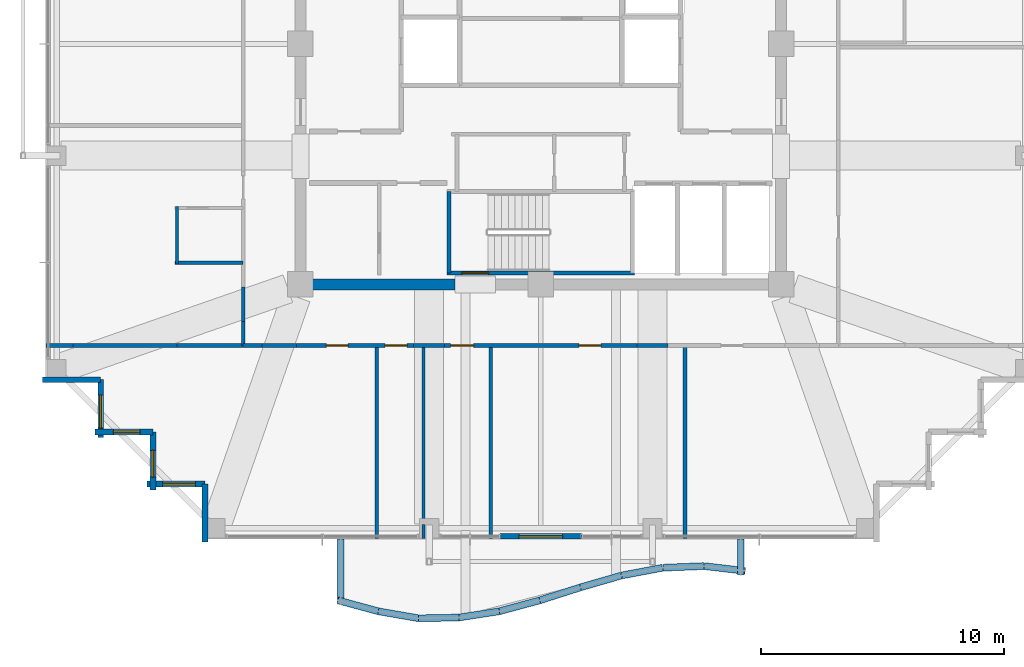
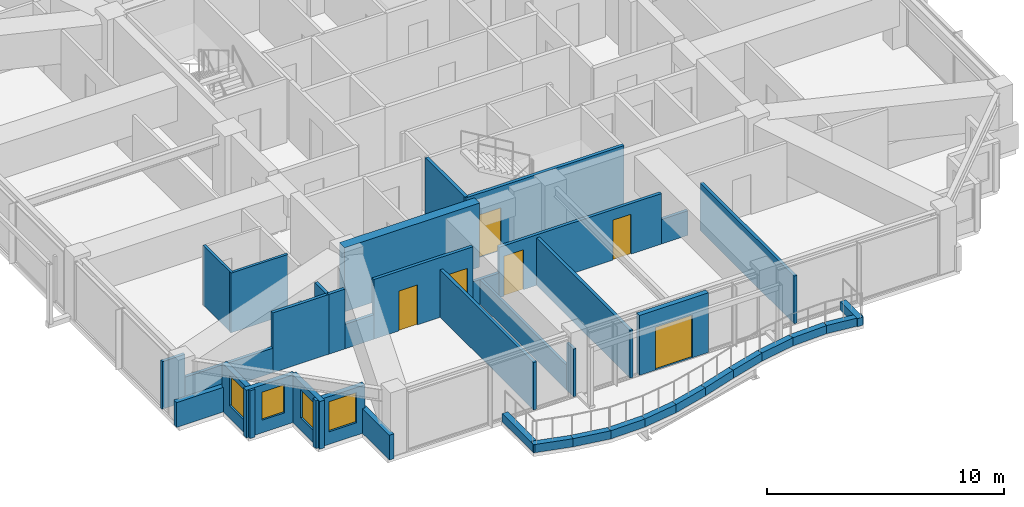
# One storey, part 31 of 37: 40 walls, 6 doors, 4 windows, 10 openings.
"""IFC4 building model written with IfcOpenShell, lengths in metres."""

from ifc_helpers import new_model, si_unit, direction, frame, frame_2d, origin, place, context, subcontext, project, spatial, rectangle, extrude, material, layer, layer_set, type_object, element, fill, save


model = new_model("IFC4")

# Units and contexts
model_context = context("Model", 3, precision=1e-05, world=origin(), true_north=direction((0.0, 1.0)))
body_context = subcontext(model_context, "Body", "Model", "MODEL_VIEW")
ifc_project = project(units=[si_unit("LENGTHUNIT", "METRE"), si_unit("AREAUNIT", "SQUARE_METRE"), si_unit("VOLUMEUNIT", "CUBIC_METRE"), si_unit("PLANEANGLEUNIT", "RADIAN"), si_unit("MASSUNIT", "GRAM", prefix="KILO")], contexts=[model_context])

# Site, building, storey
site_placement = place(None, origin())
site = spatial("IfcSite", under=ifc_project, at=site_placement, CompositionType="ELEMENT")
building_placement = place(site_placement, origin())
building = spatial("IfcBuilding", under=site, at=building_placement, Name="Kolvaren Belvedere", CompositionType="ELEMENT")
storey_placement = place(building_placement, frame((0.0, 0.0, 219.60009765625)))
storey = spatial("IfcBuildingStorey", under=building, at=storey_placement, Name="L64", CompositionType="ELEMENT", Elevation=219.60009765625)

# Wall
ifc_material_1 = material(Name="Concrete C50/60", Category="concrete")
ifc_layer_1 = layer(ifc_material_1, 0.449951171875)
ifc_layer_set_1 = layer_set([ifc_layer_1], Name="Concrete C50/60")
wall_type_1 = type_object("IfcWallType", Name="CW-CORE-450", PredefinedType="SHEAR", material=ifc_layer_set_1)
wall_1_placement = place(storey_placement, frame((-3.5400390625, -9.89990234375, 0.0), z_axis=(0.0, 0.0, 1.0), x_axis=(-1.0, 0.0, 0.0)))
element("IfcWall", 1, at=wall_1_placement, inside=storey, type_object=wall_type_1, Name="L64 South Core Shear Wall 2", PredefinedType="SHEAR", context=body_context, shape_type="SweptSolid", body=[
    extrude(rectangle(XDim=6.5849609375, YDim=0.449951171875, at=frame_2d((3.29248046875, 0.0))), origin(), (0.0, 0.0, 1.0), 3.2998046875),
])

# Wall, opening, door
ifc_material_2 = material(Name="Concrete C50/60", Category="concrete")
ifc_layer_2 = layer(ifc_material_2, 0.159912109375)
ifc_layer_set_2 = layer_set([ifc_layer_2], Name="Concrete C50/60")
wall_type_2 = type_object("IfcWallType", Name="CW-STAIR-160", PredefinedType="SHEAR", material=ifc_layer_set_2)
wall_2_placement = place(storey_placement, frame((3.860107421875, -9.429931640625, 0.0), z_axis=(0.0, 0.0, 1.0), x_axis=(-1.0, 0.0, 0.0)))
wall_2 = element("IfcWall", 2, at=wall_2_placement, inside=storey, type_object=wall_type_2, Name="L64 Stair ST-3 South Shear Wall", PredefinedType="SHEAR", context=body_context, shape_type="SweptSolid", body=[
    extrude(rectangle(XDim=7.72021484375, YDim=0.159912109375, at=frame_2d((3.860107421875, 0.0))), origin(), (0.0, 0.0, 1.0), 3.2998046875),
])
opening_1_placement = place(wall_2_placement, frame((6.010009765625, 0.0, 0.0)))
opening_1 = element("IfcOpeningElement", 3, at=opening_1_placement, cuts=wall_2, Name="Opening D-FD90", PredefinedType="OPENING", context=body_context, shape_type="SweptSolid", body=[
    extrude(rectangle(XDim=1.10009765625, YDim=2.199951171875, at=frame_2d((0.550048828125, 1.10009765625))), frame((0.0, 0.08984375, 0.0), z_axis=(0.0, -1.0, 0.0), x_axis=(1.0, 0.0, 0.0)), (0.0, 0.0, 1.0), 0.179931640625),
])
ifc_material_3 = material(Name="Painted hollow stainless steel", Category="steel")
door_type_1 = type_object("IfcDoorType", Name="DR-FD90-1100", OperationType="NOTDEFINED", PredefinedType="DOOR", material=ifc_material_3)
door_1_placement = place(opening_1_placement, origin())
door_1 = element("IfcDoor", 4, at=door_1_placement, inside=storey, type_object=door_type_1, Name="L64 Stair ST-3 Exit Door", OperationType="SINGLE_SWING_RIGHT", OverallHeight=2.199951171875, OverallWidth=1.10009765625, PredefinedType="DOOR", context=body_context, shape_type="SweptSolid", body=[
    extrude(rectangle(XDim=1.10009765625, YDim=2.199951171875, at=frame_2d((0.550048828125, 1.10009765625))), frame((0.0, 0.02490234375, 0.0), z_axis=(0.0, -1.0, 0.0), x_axis=(1.0, 0.0, 0.0)), (0.0, 0.0, 1.0), 0.050048828125),
])
fill(opening_1, door_1)

# Walls
wall_3_placement = place(storey_placement, frame((-3.780029296875, -9.429931640625, 0.0), z_axis=(0.0, 0.0, 1.0), x_axis=(0.0, 1.0, 0.0)))
element("IfcWall", 5, at=wall_3_placement, inside=storey, type_object=wall_type_2, Name="L64 Stair ST-3 West Shear Wall", PredefinedType="SHEAR", context=body_context, shape_type="SweptSolid", body=[
    extrude(rectangle(XDim=3.349853515625, YDim=0.159912109375, at=frame_2d((1.6748046875, 0.0))), origin(), (0.0, 0.0, 1.0), 3.2998046875),
])
ifc_material_4 = material(Name="Gypsum fire-rated partition assembly", Category="gypsum")
ifc_layer_3 = layer(ifc_material_4, 0.14990234375)
ifc_layer_set_3 = layer_set([ifc_layer_3], Name="Gypsum fire-rated partition assembly")
wall_type_3 = type_object("IfcWallType", Name="WL-CORR-150", PredefinedType="PARTITIONING", material=ifc_layer_set_3)
wall_4_placement = place(storey_placement, frame((-12.260009765625, -12.419921875, 0.0), z_axis=(0.0, 0.0, 1.0), x_axis=(1.0, 0.0, 0.0)))
element("IfcWall", 6, at=wall_4_placement, inside=storey, type_object=wall_type_3, Name="L64 South Corridor Wall", PredefinedType="PARTITIONING", context=body_context, shape_type="SweptSolid", body=[
    extrude(rectangle(XDim=0.77392578125, YDim=0.14990234375, at=frame_2d((0.386962890625, 0.0))), origin(), (0.0, 0.0, 1.0), 3.079833984375),
])
wall_5_placement = place(storey_placement, frame((-11.486083984375, -12.419921875, 0.0), z_axis=(0.0, 0.0, 1.0), x_axis=(1.0, 0.0, 0.0)))
element("IfcWall", 7, at=wall_5_placement, inside=storey, type_object=wall_type_3, Name="L64 South Corridor Wall", PredefinedType="PARTITIONING", context=body_context, shape_type="SweptSolid", body=[
    extrude(rectangle(XDim=1.416748046875, YDim=0.14990234375, at=frame_2d((0.70849609375, 0.0))), origin(), (0.0, 0.0, 1.0), 1.264892578125),
])

# Wall, openings, doors
wall_6_placement = place(storey_placement, frame((-10.0693359375, -12.419921875, 0.0), z_axis=(0.0, 0.0, 1.0), x_axis=(1.0, 0.0, 0.0)))
wall_6 = element("IfcWall", 8, at=wall_6_placement, inside=storey, type_object=wall_type_3, Name="L64 South Corridor Wall", PredefinedType="PARTITIONING", context=body_context, shape_type="SweptSolid", body=[
    extrude(rectangle(XDim=4.827392578125, YDim=0.14990234375, at=frame_2d((2.41357421875, 0.0))), origin(), (0.0, 0.0, 1.0), 3.079833984375),
])
opening_2_placement = place(wall_6_placement, frame((1.236083984375, 0.0, 0.0)))
opening_2 = element("IfcOpeningElement", 9, at=opening_2_placement, cuts=wall_6, Name="Opening D-INT90", PredefinedType="OPENING", context=body_context, shape_type="SweptSolid", body=[
    extrude(rectangle(XDim=0.89990234375, YDim=2.06005859375, at=frame_2d((0.449951171875, 1.030029296875))), frame((0.0, 0.0849609375, 0.0), z_axis=(0.0, -1.0, 0.0), x_axis=(1.0, 0.0, 0.0)), (0.0, 0.0, 1.0), 0.169921875),
])
opening_3_placement = place(wall_6_placement, frame((3.6611328125, 0.0, 0.0)))
opening_3 = element("IfcOpeningElement", 10, at=opening_3_placement, cuts=wall_6, Name="Opening D-INT90", PredefinedType="OPENING", context=body_context, shape_type="SweptSolid", body=[
    extrude(rectangle(XDim=0.89990234375, YDim=2.06005859375, at=frame_2d((0.449951171875, 1.030029296875))), frame((0.0, 0.0849609375, 0.0), z_axis=(0.0, -1.0, 0.0), x_axis=(1.0, 0.0, 0.0)), (0.0, 0.0, 1.0), 0.169921875),
])
ifc_material_5 = material(Name="Stained Pacific white oak", Category="timber")
door_type_2 = type_object("IfcDoorType", Name="DR-INT-900", OperationType="NOTDEFINED", PredefinedType="DOOR", material=ifc_material_5)
door_2_placement = place(opening_2_placement, origin())
door_2 = element("IfcDoor", 11, at=door_2_placement, inside=storey, type_object=door_type_2, Name="L64 Wellness Yoga & Reading Gym 6401 Door", OperationType="SINGLE_SWING_LEFT", OverallHeight=2.06005859375, OverallWidth=0.89990234375, PredefinedType="DOOR", context=body_context, shape_type="SweptSolid", body=[
    extrude(rectangle(XDim=0.89990234375, YDim=2.06005859375, at=frame_2d((0.449951171875, 1.030029296875))), frame((0.0, 0.02490234375, 0.0), z_axis=(0.0, -1.0, 0.0), x_axis=(1.0, 0.0, 0.0)), (0.0, 0.0, 1.0), 0.050048828125),
])
fill(opening_2, door_2)
door_3_placement = place(opening_3_placement, origin())
door_3 = element("IfcDoor", 12, at=door_3_placement, inside=storey, type_object=door_type_2, Name="L64 Housekeeping Door", OperationType="SINGLE_SWING_RIGHT", OverallHeight=2.06005859375, OverallWidth=0.89990234375, PredefinedType="DOOR", context=body_context, shape_type="SweptSolid", body=[
    extrude(rectangle(XDim=0.89990234375, YDim=2.06005859375, at=frame_2d((0.449951171875, 1.030029296875))), frame((0.0, 0.02490234375, 0.0), z_axis=(0.0, -1.0, 0.0), x_axis=(1.0, 0.0, 0.0)), (0.0, 0.0, 1.0), 0.050048828125),
])
fill(opening_3, door_3)

# Wall
wall_7_placement = place(storey_placement, frame((-5.241943359375, -12.419921875, 0.0), z_axis=(0.0, 0.0, 1.0), x_axis=(1.0, 0.0, 0.0)))
element("IfcWall", 13, at=wall_7_placement, inside=storey, type_object=wall_type_3, Name="L64 South Corridor Wall", PredefinedType="PARTITIONING", context=body_context, shape_type="SweptSolid", body=[
    extrude(rectangle(XDim=1.283935546875, YDim=0.14990234375, at=frame_2d((0.64208984375, 0.0))), origin(), (0.0, 0.0, 1.0), 1.264892578125),
])

# Wall, openings, doors
wall_8_placement = place(storey_placement, frame((-3.9580078125, -12.419921875, 0.0), z_axis=(0.0, 0.0, 1.0), x_axis=(1.0, 0.0, 0.0)))
wall_8 = element("IfcWall", 14, at=wall_8_placement, inside=storey, type_object=wall_type_3, Name="L64 South Corridor Wall", PredefinedType="PARTITIONING", context=body_context, shape_type="SweptSolid", body=[
    extrude(rectangle(XDim=7.916015625, YDim=0.14990234375, at=frame_2d((3.9580078125, 0.0))), origin(), (0.0, 0.0, 1.0), 2.60498046875),
])
opening_4_placement = place(wall_8_placement, frame((0.24365234375, 0.0, 0.0)))
opening_4 = element("IfcOpeningElement", 15, at=opening_4_placement, cuts=wall_8, Name="Opening D-INT95", PredefinedType="OPENING", context=body_context, shape_type="SweptSolid", body=[
    extrude(rectangle(XDim=0.949951171875, YDim=2.06005859375, at=frame_2d((0.47509765625, 1.030029296875))), frame((0.0, 0.0849609375, 0.0), z_axis=(0.0, -1.0, 0.0), x_axis=(1.0, 0.0, 0.0)), (0.0, 0.0, 1.0), 0.169921875),
])
opening_5_placement = place(wall_8_placement, frame((5.5380859375, 0.0, 0.0)))
opening_5 = element("IfcOpeningElement", 16, at=opening_5_placement, cuts=wall_8, Name="Opening D-INT90", PredefinedType="OPENING", context=body_context, shape_type="SweptSolid", body=[
    extrude(rectangle(XDim=0.89990234375, YDim=2.06005859375, at=frame_2d((0.449951171875, 1.030029296875))), frame((0.0, 0.0849609375, 0.0), z_axis=(0.0, -1.0, 0.0), x_axis=(1.0, 0.0, 0.0)), (0.0, 0.0, 1.0), 0.169921875),
])
door_4_placement = place(opening_5_placement, origin())
door_4 = element("IfcDoor", 17, at=door_4_placement, inside=storey, type_object=door_type_2, Name="L64 Guest Tea & Espresso Kitchen 6402 Door", OperationType="SINGLE_SWING_RIGHT", OverallHeight=2.06005859375, OverallWidth=0.89990234375, PredefinedType="DOOR", context=body_context, shape_type="SweptSolid", body=[
    extrude(rectangle(XDim=0.89990234375, YDim=2.06005859375, at=frame_2d((0.449951171875, 1.030029296875))), frame((0.0, 0.02490234375, 0.0), z_axis=(0.0, -1.0, 0.0), x_axis=(1.0, 0.0, 0.0)), (0.0, 0.0, 1.0), 0.050048828125),
])
fill(opening_5, door_4)
ifc_material_6 = material(Name="Stained Pacific white oak", Category="timber")
door_type_3 = type_object("IfcDoorType", Name="DR-INT-950", OperationType="NOTDEFINED", PredefinedType="DOOR", material=ifc_material_6)
door_5_placement = place(opening_4_placement, origin())
door_5 = element("IfcDoor", 18, at=door_5_placement, inside=storey, type_object=door_type_3, Name="L64 Accessible Washroom Door", OperationType="SINGLE_SWING_LEFT", OverallHeight=2.06005859375, OverallWidth=0.949951171875, PredefinedType="DOOR", context=body_context, shape_type="SweptSolid", body=[
    extrude(rectangle(XDim=0.949951171875, YDim=2.06005859375, at=frame_2d((0.47509765625, 1.030029296875))), frame((0.0, 0.02490234375, 0.0), z_axis=(0.0, -1.0, 0.0), x_axis=(1.0, 0.0, 0.0)), (0.0, 0.0, 1.0), 0.050048828125),
])
fill(opening_4, door_5)

# Walls
wall_9_placement = place(storey_placement, frame((3.9580078125, -12.419921875, 0.0), z_axis=(0.0, 0.0, 1.0), x_axis=(1.0, 0.0, 0.0)))
element("IfcWall", 19, at=wall_9_placement, inside=storey, type_object=wall_type_3, Name="L64 South Corridor Wall", PredefinedType="PARTITIONING", context=body_context, shape_type="SweptSolid", body=[
    extrude(rectangle(XDim=1.283935546875, YDim=0.14990234375, at=frame_2d((0.64208984375, 0.0))), origin(), (0.0, 0.0, 1.0), 1.264892578125),
])
wall_10_placement = place(storey_placement, frame((-12.260009765625, -12.419921875, 0.0), z_axis=(0.0, 0.0, 1.0), x_axis=(0.0, 1.0, 0.0)))
element("IfcWall", 20, at=wall_10_placement, inside=storey, type_object=wall_type_3, Name="L64 West Corridor Wall", PredefinedType="PARTITIONING", context=body_context, shape_type="SweptSolid", body=[
    extrude(rectangle(XDim=0.989501953125, YDim=0.14990234375, at=frame_2d((0.49462890625, 0.0))), origin(), (0.0, 0.0, 1.0), 3.079833984375),
])
wall_11_placement = place(storey_placement, frame((-12.260009765625, -11.430419921875, 0.0), z_axis=(0.0, 0.0, 1.0), x_axis=(0.0, 1.0, 0.0)))
element("IfcWall", 21, at=wall_11_placement, inside=storey, type_object=wall_type_3, Name="L64 West Corridor Wall", PredefinedType="PARTITIONING", context=body_context, shape_type="SweptSolid", body=[
    extrude(rectangle(XDim=1.416748046875, YDim=0.14990234375, at=frame_2d((0.70849609375, 0.0))), origin(), (0.0, 0.0, 1.0), 1.264892578125),
])

# Wall, opening, door
ifc_material_7 = material(Name="Insulated pale-metal facade wall assembly", Category="aluminium")
ifc_layer_4 = layer(ifc_material_7, 0.239990234375)
ifc_layer_set_4 = layer_set([ifc_layer_4], Name="Insulated pale-metal facade wall assembly")
wall_type_4 = type_object("IfcWallType", Name="WL-EXT-240", PredefinedType="STANDARD", material=ifc_layer_set_4)
wall_12_placement = place(storey_placement, frame((1.679931640625, -20.280029296875, 0.0), z_axis=(0.0, 0.0, 1.0), x_axis=(-1.0, 0.0, 0.0)))
wall_12 = element("IfcWall", 22, at=wall_12_placement, inside=storey, type_object=wall_type_4, Name="L64 South Terrace Portal Wall", PredefinedType="STANDARD", context=body_context, shape_type="SweptSolid", body=[
    extrude(rectangle(XDim=3.35986328125, YDim=0.239990234375, at=frame_2d((1.679931640625, 0.0))), origin(), (0.0, 0.0, 1.0), 3.079833984375),
])
opening_6_placement = place(wall_12_placement, frame((0.780029296875, 0.0, 0.0)))
opening_6 = element("IfcOpeningElement", 23, at=opening_6_placement, cuts=wall_12, Name="Opening DB-1800", PredefinedType="OPENING", context=body_context, shape_type="SweptSolid", body=[
    extrude(rectangle(XDim=1.800048828125, YDim=2.199951171875, at=frame_2d((0.89990234375, 1.10009765625))), frame((0.0, 0.1298828125, 0.0), z_axis=(0.0, -1.0, 0.0), x_axis=(1.0, 0.0, 0.0)), (0.0, 0.0, 1.0), 0.260009765625),
])
ifc_material_8 = material(Name="Thermally broken pale-metal aluminium & low-iron glass", Category="aluminium")
door_type_4 = type_object("IfcDoorType", Name="DR-BAL-1800", OperationType="DOUBLE_DOOR_SLIDING", PredefinedType="DOOR", material=ifc_material_8)
door_6_placement = place(opening_6_placement, origin())
door_6 = element("IfcDoor", 24, at=door_6_placement, inside=storey, type_object=door_type_4, Name="L64 South Planted Terrace Sliding Door", OperationType="DOUBLE_DOOR_SLIDING", OverallHeight=2.199951171875, OverallWidth=1.800048828125, PredefinedType="DOOR", context=body_context, shape_type="SweptSolid", body=[
    extrude(rectangle(XDim=1.800048828125, YDim=2.199951171875, at=frame_2d((0.89990234375, 1.10009765625))), frame((0.0, 0.02490234375, 0.0), z_axis=(0.0, -1.0, 0.0), x_axis=(1.0, 0.0, 0.0)), (0.0, 0.0, 1.0), 0.050048828125),
])
fill(opening_6, door_6)

# Wall
wall_13_placement = place(storey_placement, frame((-18.1298828125, -13.830078125, 0.0), z_axis=(0.0, 0.0, 1.0), x_axis=(-1.0, 0.0, 0.0)))
element("IfcWall", 25, at=wall_13_placement, inside=storey, type_object=wall_type_4, Name="L64 Serrated Corner Facade Wall 23", PredefinedType="STANDARD", context=body_context, shape_type="SweptSolid", body=[
    extrude(rectangle(XDim=2.39013671875, YDim=0.239990234375, at=frame_2d((1.195068359375, 0.0))), origin(), (0.0, 0.0, 1.0), 1.27490234375),
])

# Wall, opening, window
wall_14_placement = place(storey_placement, frame((-18.1298828125, -16.219970703125, 0.0), z_axis=(0.0, 0.0, 1.0), x_axis=(0.0, 1.0, 0.0)))
wall_14 = element("IfcWall", 26, at=wall_14_placement, inside=storey, type_object=wall_type_4, Name="L64 Serrated Corner Facade Wall 24", PredefinedType="STANDARD", context=body_context, shape_type="SweptSolid", body=[
    extrude(rectangle(XDim=2.389892578125, YDim=0.239990234375, at=frame_2d((1.19482421875, 0.0))), origin(), (0.0, 0.0, 1.0), 2.462890625),
])
opening_7_placement = place(wall_14_placement, frame((0.39990234375, 0.0, 0.64990234375)))
opening_7 = element("IfcOpeningElement", 27, at=opening_7_placement, cuts=wall_14, Name="Opening W-1350", PredefinedType="OPENING", context=body_context, shape_type="SweptSolid", body=[
    extrude(rectangle(XDim=1.35009765625, YDim=1.550048828125, at=frame_2d((0.675048828125, 0.77490234375))), frame((0.0, 0.1298828125, 0.0), z_axis=(0.0, -1.0, 0.0), x_axis=(1.0, 0.0, 0.0)), (0.0, 0.0, 1.0), 0.260009765625),
])
ifc_material_9 = material(Name="Low-iron triple insulated glass", Category="glass")
window_type_1 = type_object("IfcWindowType", Name="WN-CORN-1350", PartitioningType="SINGLE_PANEL", PredefinedType="WINDOW", material=ifc_material_9)
window_1_placement = place(opening_7_placement, origin())
window_1 = element("IfcWindow", 28, at=window_1_placement, inside=storey, type_object=window_type_1, Name="L64 Serrated Corner Vision Window 24", OverallHeight=1.550048828125, OverallWidth=1.35009765625, PartitioningType="SINGLE_PANEL", PredefinedType="WINDOW", context=body_context, shape_type="SweptSolid", body=[
    extrude(rectangle(XDim=1.35009765625, YDim=1.550048828125, at=frame_2d((0.675048828125, 0.77490234375))), frame((0.0, 0.030029296875, 0.0), z_axis=(0.0, -1.0, 0.0), x_axis=(1.0, 0.0, 0.0)), (0.0, 0.0, 1.0), 0.06005859375),
])
fill(opening_7, window_1)

wall_15_placement = place(storey_placement, frame((-15.97998046875, -15.97998046875, 0.0), z_axis=(0.0, 0.0, 1.0), x_axis=(-1.0, 0.0, 0.0)))
wall_15 = element("IfcWall", 29, at=wall_15_placement, inside=storey, type_object=wall_type_4, Name="L64 Serrated Corner Facade Wall 25", PredefinedType="STANDARD", context=body_context, shape_type="SweptSolid", body=[
    extrude(rectangle(XDim=2.39013671875, YDim=0.239990234375, at=frame_2d((1.195068359375, 0.0))), origin(), (0.0, 0.0, 1.0), 2.462890625),
])
opening_8_placement = place(wall_15_placement, frame((0.52490234375, 0.0, 0.64990234375)))
opening_8 = element("IfcOpeningElement", 30, at=opening_8_placement, cuts=wall_15, Name="Opening W-1100", PredefinedType="OPENING", context=body_context, shape_type="SweptSolid", body=[
    extrude(rectangle(XDim=1.10009765625, YDim=1.449951171875, at=frame_2d((0.550048828125, 0.72509765625))), frame((0.0, 0.1298828125, 0.0), z_axis=(0.0, -1.0, 0.0), x_axis=(1.0, 0.0, 0.0)), (0.0, 0.0, 1.0), 0.260009765625),
])
ifc_material_10 = material(Name="Low-iron triple insulated glass", Category="glass")
window_type_2 = type_object("IfcWindowType", Name="WN-CORN-1100", PartitioningType="SINGLE_PANEL", PredefinedType="WINDOW", material=ifc_material_10)
window_2_placement = place(opening_8_placement, origin())
window_2 = element("IfcWindow", 31, at=window_2_placement, inside=storey, type_object=window_type_2, Name="L64 Serrated Corner Vision Window 25", OverallHeight=1.449951171875, OverallWidth=1.10009765625, PartitioningType="SINGLE_PANEL", PredefinedType="WINDOW", context=body_context, shape_type="SweptSolid", body=[
    extrude(rectangle(XDim=1.10009765625, YDim=1.449951171875, at=frame_2d((0.550048828125, 0.72509765625))), frame((0.0, 0.030029296875, 0.0), z_axis=(0.0, -1.0, 0.0), x_axis=(1.0, 0.0, 0.0)), (0.0, 0.0, 1.0), 0.06005859375),
])
fill(opening_8, window_2)

wall_16_placement = place(storey_placement, frame((-15.97998046875, -18.3701171875, 0.0), z_axis=(0.0, 0.0, 1.0), x_axis=(0.0, 1.0, 0.0)))
wall_16 = element("IfcWall", 32, at=wall_16_placement, inside=storey, type_object=wall_type_4, Name="L64 Serrated Corner Facade Wall 26", PredefinedType="STANDARD", context=body_context, shape_type="SweptSolid", body=[
    extrude(rectangle(XDim=2.39013671875, YDim=0.239990234375, at=frame_2d((1.195068359375, 0.0))), origin(), (0.0, 0.0, 1.0), 2.462890625),
])
opening_9_placement = place(wall_16_placement, frame((0.52490234375, 0.0, 0.64990234375)))
opening_9 = element("IfcOpeningElement", 33, at=opening_9_placement, cuts=wall_16, Name="Opening W-1100", PredefinedType="OPENING", context=body_context, shape_type="SweptSolid", body=[
    extrude(rectangle(XDim=1.10009765625, YDim=1.449951171875, at=frame_2d((0.550048828125, 0.72509765625))), frame((0.0, 0.1298828125, 0.0), z_axis=(0.0, -1.0, 0.0), x_axis=(1.0, 0.0, 0.0)), (0.0, 0.0, 1.0), 0.260009765625),
])
window_3_placement = place(opening_9_placement, origin())
window_3 = element("IfcWindow", 34, at=window_3_placement, inside=storey, type_object=window_type_2, Name="L64 Serrated Corner Vision Window 26", OverallHeight=1.449951171875, OverallWidth=1.10009765625, PartitioningType="SINGLE_PANEL", PredefinedType="WINDOW", context=body_context, shape_type="SweptSolid", body=[
    extrude(rectangle(XDim=1.10009765625, YDim=1.449951171875, at=frame_2d((0.550048828125, 0.72509765625))), frame((0.0, 0.030029296875, 0.0), z_axis=(0.0, -1.0, 0.0), x_axis=(1.0, 0.0, 0.0)), (0.0, 0.0, 1.0), 0.06005859375),
])
fill(opening_9, window_3)

wall_17_placement = place(storey_placement, frame((-13.830078125, -18.1298828125, 0.0), z_axis=(0.0, 0.0, 1.0), x_axis=(-1.0, 0.0, 0.0)))
wall_17 = element("IfcWall", 35, at=wall_17_placement, inside=storey, type_object=wall_type_4, Name="L64 Serrated Corner Facade Wall 27", PredefinedType="STANDARD", context=body_context, shape_type="SweptSolid", body=[
    extrude(rectangle(XDim=2.389892578125, YDim=0.239990234375, at=frame_2d((1.19482421875, 0.0))), origin(), (0.0, 0.0, 1.0), 2.462890625),
])
opening_10_placement = place(wall_17_placement, frame((0.39990234375, 0.0, 0.64990234375)))
opening_10 = element("IfcOpeningElement", 36, at=opening_10_placement, cuts=wall_17, Name="Opening W-1350", PredefinedType="OPENING", context=body_context, shape_type="SweptSolid", body=[
    extrude(rectangle(XDim=1.35009765625, YDim=1.550048828125, at=frame_2d((0.675048828125, 0.77490234375))), frame((0.0, 0.1298828125, 0.0), z_axis=(0.0, -1.0, 0.0), x_axis=(1.0, 0.0, 0.0)), (0.0, 0.0, 1.0), 0.260009765625),
])
window_4_placement = place(opening_10_placement, origin())
window_4 = element("IfcWindow", 37, at=window_4_placement, inside=storey, type_object=window_type_1, Name="L64 Serrated Corner Vision Window 27", OverallHeight=1.550048828125, OverallWidth=1.35009765625, PartitioningType="SINGLE_PANEL", PredefinedType="WINDOW", context=body_context, shape_type="SweptSolid", body=[
    extrude(rectangle(XDim=1.35009765625, YDim=1.550048828125, at=frame_2d((0.675048828125, 0.77490234375))), frame((0.0, 0.030029296875, 0.0), z_axis=(0.0, -1.0, 0.0), x_axis=(1.0, 0.0, 0.0)), (0.0, 0.0, 1.0), 0.06005859375),
])
fill(opening_10, window_4)

# Walls
wall_18_placement = place(storey_placement, frame((-13.830078125, -20.52001953125, 0.0), z_axis=(0.0, 0.0, 1.0), x_axis=(0.0, 1.0, 0.0)))
element("IfcWall", 38, at=wall_18_placement, inside=storey, type_object=wall_type_4, Name="L64 Serrated Corner Facade Wall 28", PredefinedType="STANDARD", context=body_context, shape_type="SweptSolid", body=[
    extrude(rectangle(XDim=2.39013671875, YDim=0.239990234375, at=frame_2d((1.195068359375, 0.0))), origin(), (0.0, 0.0, 1.0), 1.27490234375),
])
ifc_material_11 = material(Name="Gypsum acoustic partition assembly", Category="gypsum")
ifc_layer_5 = layer(ifc_material_11, 0.14990234375)
ifc_layer_set_5 = layer_set([ifc_layer_5], Name="Gypsum acoustic partition assembly")
wall_type_5 = type_object("IfcWallType", Name="WL-PART-150", PredefinedType="PARTITIONING", material=ifc_layer_set_5)
wall_19_placement = place(storey_placement, frame((-20.3798828125, -12.419921875, 0.0), z_axis=(0.0, 0.0, 1.0), x_axis=(1.0, 0.0, 0.0)))
element("IfcWall", 39, at=wall_19_placement, inside=storey, type_object=wall_type_5, Name="L64 Wing Divider PW-L64-QSW", PredefinedType="PARTITIONING", context=body_context, shape_type="SweptSolid", body=[
    extrude(rectangle(XDim=1.103271484375, YDim=0.14990234375, at=frame_2d((0.5517578125, 0.0))), origin(), (0.0, 0.0, 1.0), 2.452880859375),
])
wall_20_placement = place(storey_placement, frame((-19.276611328125, -12.419921875, 0.0), z_axis=(0.0, 0.0, 1.0), x_axis=(1.0, 0.0, 0.0)))
element("IfcWall", 40, at=wall_20_placement, inside=storey, type_object=wall_type_5, Name="L64 Wing Divider PW-L64-QSW", PredefinedType="PARTITIONING", context=body_context, shape_type="SweptSolid", body=[
    extrude(rectangle(XDim=4.28125, YDim=0.14990234375, at=frame_2d((2.140625, 0.0))), origin(), (0.0, 0.0, 1.0), 1.264892578125),
])
wall_21_placement = place(storey_placement, frame((-14.995361328125, -12.419921875, 0.0), z_axis=(0.0, 0.0, 1.0), x_axis=(1.0, 0.0, 0.0)))
element("IfcWall", 41, at=wall_21_placement, inside=storey, type_object=wall_type_5, Name="L64 Wing Divider PW-L64-QSW", PredefinedType="PARTITIONING", context=body_context, shape_type="SweptSolid", body=[
    extrude(rectangle(XDim=2.7353515625, YDim=0.14990234375, at=frame_2d((1.36767578125, 0.0))), origin(), (0.0, 0.0, 1.0), 3.079833984375),
])
for number, where, z_axis, x_axis, name in (
    (42, (-6.760009765625, -20.3798828125, 0.0), (0.0, 0.0, 1.0), (0.0, 1.0, 0.0), "L64 South Suite Demising Wall 1"),
    (43, (-2.06005859375, -20.3798828125, 0.0), (0.0, 0.0, 1.0), (0.0, 1.0, 0.0), "L64 South Suite Demising Wall 2"),
    (44, (5.93994140625, -20.3798828125, 0.0), (0.0, 0.0, 1.0), (0.0, 1.0, 0.0), "L64 South Suite Demising Wall 3"),
):
    element("IfcWall", number, at=place(storey_placement, frame(where, z_axis=z_axis, x_axis=x_axis)), inside=storey, type_object=wall_type_5, Name=name, PredefinedType="PARTITIONING", context=body_context, shape_type="SweptSolid", body=[
        extrude(rectangle(XDim=7.9599609375, YDim=0.14990234375, at=frame_2d((3.97998046875, 0.0))), origin(), (0.0, 0.0, 1.0), 2.452880859375),
    ])
ifc_material_12 = material(Name="Precast concrete C40/50", Category="concrete")
ifc_layer_6 = layer(ifc_material_12, 0.300048828125)
ifc_layer_set_6 = layer_set([ifc_layer_6], Name="Precast concrete C40/50")
wall_type_6 = type_object("IfcWallType", Name="WL-PLANTER-300", PredefinedType="PARAPET", material=ifc_layer_set_6)
wall_22_placement = place(storey_placement, frame((-8.3583984375, -22.919189453125, -0.0400390625), z_axis=(0.0, 0.0, 1.0), x_axis=(0.965434024814, -0.260647546949, 0.0)))
element("IfcWall", 45, at=wall_22_placement, inside=storey, type_object=wall_type_6, Name="L64 Precast Structural Planter Wall BAL-S-1", PredefinedType="PARAPET", context=body_context, shape_type="SweptSolid", body=[
    extrude(rectangle(XDim=1.740234375, YDim=0.280029296875, at=frame_2d((0.8701171875, 0.0))), origin(), (0.0, 0.0, 1.0), 0.419921875),
])
wall_23_placement = place(storey_placement, frame((-6.6923828125, -23.36962890625, -0.0400390625), z_axis=(0.0, 0.0, 1.0), x_axis=(0.985156010777, -0.171661394699, 0.0)))
element("IfcWall", 46, at=wall_23_placement, inside=storey, type_object=wall_type_6, Name="L64 Precast Structural Planter Wall BAL-S-2", PredefinedType="PARAPET", context=body_context, shape_type="SweptSolid", body=[
    extrude(rectangle(XDim=1.705322265625, YDim=0.280029296875, at=frame_2d((0.8525390625, 0.0))), origin(), (0.0, 0.0, 1.0), 0.419921875),
])
wall_24_placement = place(storey_placement, frame((-5.043212890625, -23.659912109375, -0.0400390625), z_axis=(0.0, 0.0, 1.0), x_axis=(0.99979895463, 0.020051192521, 0.0)))
element("IfcWall", 47, at=wall_24_placement, inside=storey, type_object=wall_type_6, Name="L64 Precast Structural Planter Wall BAL-S-3", PredefinedType="PARAPET", context=body_context, shape_type="SweptSolid", body=[
    extrude(rectangle(XDim=1.68017578125, YDim=0.280029296875, at=frame_2d((0.840087890625, 0.0))), origin(), (0.0, 0.0, 1.0), 0.419921875),
])
wall_25_placement = place(storey_placement, frame((-3.384521484375, -23.6279296875, -0.0400390625), z_axis=(0.0, 0.0, 1.0), x_axis=(0.988345118302, 0.152229849666, 0.0)))
element("IfcWall", 48, at=wall_25_placement, inside=storey, type_object=wall_type_6, Name="L64 Precast Structural Planter Wall BAL-S-4", PredefinedType="PARAPET", context=body_context, shape_type="SweptSolid", body=[
    extrude(rectangle(XDim=1.699951171875, YDim=0.280029296875, at=frame_2d((0.85009765625, 0.0))), origin(), (0.0, 0.0, 1.0), 0.419921875),
])
wall_26_placement = place(storey_placement, frame((-1.7216796875, -23.372802734375, -0.0400390625), z_axis=(0.0, 0.0, 1.0), x_axis=(0.965424492388, 0.260682852326, 0.0)))
element("IfcWall", 49, at=wall_26_placement, inside=storey, type_object=wall_type_6, Name="L64 Precast Structural Planter Wall BAL-S-5", PredefinedType="PARAPET", context=body_context, shape_type="SweptSolid", body=[
    extrude(rectangle(XDim=1.739990234375, YDim=0.280029296875, at=frame_2d((0.8701171875, 0.0))), origin(), (0.0, 0.0, 1.0), 0.419921875),
])
wall_27_placement = place(storey_placement, frame((-0.048583984375, -22.92138671875, -0.0400390625), z_axis=(0.0, 0.0, 1.0), x_axis=(0.952661770826, 0.304032153573, 0.0)))
element("IfcWall", 50, at=wall_27_placement, inside=storey, type_object=wall_type_6, Name="L64 Precast Structural Planter Wall BAL-S-6", PredefinedType="PARAPET", context=body_context, shape_type="SweptSolid", body=[
    extrude(rectangle(XDim=1.763427734375, YDim=0.280029296875, at=frame_2d((0.8818359375, 0.0))), origin(), (0.0, 0.0, 1.0), 0.419921875),
])
wall_28_placement = place(storey_placement, frame((1.635498046875, -22.3837890625, -0.0400390625), z_axis=(0.0, 0.0, 1.0), x_axis=(0.960633903819, 0.277817391164, 0.0)))
element("IfcWall", 51, at=wall_28_placement, inside=storey, type_object=wall_type_6, Name="L64 Precast Structural Planter Wall BAL-S-7", PredefinedType="PARAPET", context=body_context, shape_type="SweptSolid", body=[
    extrude(rectangle(XDim=1.748779296875, YDim=0.280029296875, at=frame_2d((0.87451171875, 0.0))), origin(), (0.0, 0.0, 1.0), 0.419921875),
])
wall_29_placement = place(storey_placement, frame((3.330322265625, -21.894287109375, -0.0400390625), z_axis=(0.0, 0.0, 1.0), x_axis=(0.982804219087, 0.184650661912, 0.0)))
element("IfcWall", 52, at=wall_29_placement, inside=storey, type_object=wall_type_6, Name="L64 Precast Structural Planter Wall BAL-S-8", PredefinedType="PARAPET", context=body_context, shape_type="SweptSolid", body=[
    extrude(rectangle(XDim=1.70947265625, YDim=0.280029296875, at=frame_2d((0.854736328125, 0.0))), origin(), (0.0, 0.0, 1.0), 0.419921875),
])
wall_30_placement = place(storey_placement, frame((5.03369140625, -21.575927734375, -0.0400390625), z_axis=(0.0, 0.0, 1.0), x_axis=(0.999196545286, 0.040078222133, 0.0)))
element("IfcWall", 53, at=wall_30_placement, inside=storey, type_object=wall_type_6, Name="L64 Precast Structural Planter Wall BAL-S-9", PredefinedType="PARAPET", context=body_context, shape_type="SweptSolid", body=[
    extrude(rectangle(XDim=1.681396484375, YDim=0.280029296875, at=frame_2d((0.8408203125, 0.0))), origin(), (0.0, 0.0, 1.0), 0.419921875),
])
wall_31_placement = place(storey_placement, frame((6.73876953125, -21.509521484375, -0.0400390625), z_axis=(0.0, 0.0, 1.0), x_axis=(0.993125952783, -0.11705059551, 0.0)))
element("IfcWall", 54, at=wall_31_placement, inside=storey, type_object=wall_type_6, Name="L64 Precast Structural Planter Wall BAL-S-10", PredefinedType="PARAPET", context=body_context, shape_type="SweptSolid", body=[
    extrude(rectangle(XDim=1.691650390625, YDim=0.280029296875, at=frame_2d((0.845703125, 0.0))), origin(), (0.0, 0.0, 1.0), 0.419921875),
])
wall_32_placement = place(storey_placement, frame((8.239990234375, -21.8662109375, -0.0400390625), z_axis=(0.0, 0.0, 1.0), x_axis=(0.0, 1.0, 0.0)))
element("IfcWall", 55, at=wall_32_placement, inside=storey, type_object=wall_type_6, Name="L64 Precast Structural Planter Wall BAL-S-11", PredefinedType="PARAPET", context=body_context, shape_type="SweptSolid", body=[
    extrude(rectangle(XDim=1.46630859375, YDim=0.280029296875, at=frame_2d((0.733154296875, 0.0))), origin(), (0.0, 0.0, 1.0), 0.419921875),
])
wall_33_placement = place(storey_placement, frame((-8.239990234375, -20.39990234375, -0.0400390625), z_axis=(0.0, 0.0, 1.0), x_axis=(0.0, -1.0, 0.0)))
element("IfcWall", 56, at=wall_33_placement, inside=storey, type_object=wall_type_6, Name="L64 Precast Structural Planter Wall BAL-S-22", PredefinedType="PARAPET", context=body_context, shape_type="SweptSolid", body=[
    extrude(rectangle(XDim=2.673828125, YDim=0.280029296875, at=frame_2d((1.3369140625, 0.0))), origin(), (0.0, 0.0, 1.0), 0.419921875),
])
ifc_material_13 = material(Name="Moisture-resistant gypsum partition", Category="gypsum")
ifc_layer_7 = layer(ifc_material_13, 0.125)
ifc_layer_set_7 = layer_set([ifc_layer_7], Name="Moisture-resistant gypsum partition")
wall_type_7 = type_object("IfcWallType", Name="WL-WET-125", PredefinedType="PARTITIONING", material=ifc_layer_set_7)
wall_34_placement = place(storey_placement, frame((-4.826904296875, -20.3798828125, 0.0), z_axis=(0.0, 0.0, 1.0), x_axis=(0.0, 1.0, 0.0)))
element("IfcWall", 57, at=wall_34_placement, inside=storey, type_object=wall_type_7, Name="L64 Housekeeping Washroom Divider", PredefinedType="PARTITIONING", context=body_context, shape_type="SweptSolid", body=[
    extrude(rectangle(XDim=0.579833984375, YDim=0.125, at=frame_2d((0.2900390625, 0.0))), origin(), (0.0, 0.0, 1.0), 2.452880859375),
])
wall_35_placement = place(storey_placement, frame((-4.826904296875, -19.800048828125, 0.0), z_axis=(0.0, 0.0, 1.0), x_axis=(0.0, 1.0, 0.0)))
element("IfcWall", 58, at=wall_35_placement, inside=storey, type_object=wall_type_7, Name="L64 Housekeeping Washroom Divider", PredefinedType="PARTITIONING", context=body_context, shape_type="SweptSolid", body=[
    extrude(rectangle(XDim=7.405029296875, YDim=0.125, at=frame_2d((3.70263671875, 0.0))), origin(), (0.0, 0.0, 1.0), 1.264892578125),
])
wall_36_placement = place(storey_placement, frame((-14.985107421875, -9.072998046875, 0.0), z_axis=(0.0, 0.0, 1.0), x_axis=(0.0, 1.0, 0.0)))
element("IfcWall", 59, at=wall_36_placement, inside=storey, type_object=wall_type_7, Name="L64 Bathroom Partition PW-L64-BTH-7-V", PredefinedType="PARTITIONING", context=body_context, shape_type="SweptSolid", body=[
    extrude(rectangle(XDim=2.3701171875, YDim=0.125, at=frame_2d((1.18505859375, 0.0))), origin(), (0.0, 0.0, 1.0), 3.079833984375),
])
wall_37_placement = place(storey_placement, frame((-15.06494140625, -9.012939453125, 0.0), z_axis=(0.0, 0.0, 1.0), x_axis=(1.0, 0.0, 0.0)))
element("IfcWall", 60, at=wall_37_placement, inside=storey, type_object=wall_type_7, Name="L64 Bathroom Partition PW-L64-BTH-7-S", PredefinedType="PARTITIONING", context=body_context, shape_type="SweptSolid", body=[
    extrude(rectangle(XDim=2.7900390625, YDim=0.125, at=frame_2d((1.39501953125, 0.0))), origin(), (0.0, 0.0, 1.0), 3.079833984375),
])

save(model, "model.ifc")
